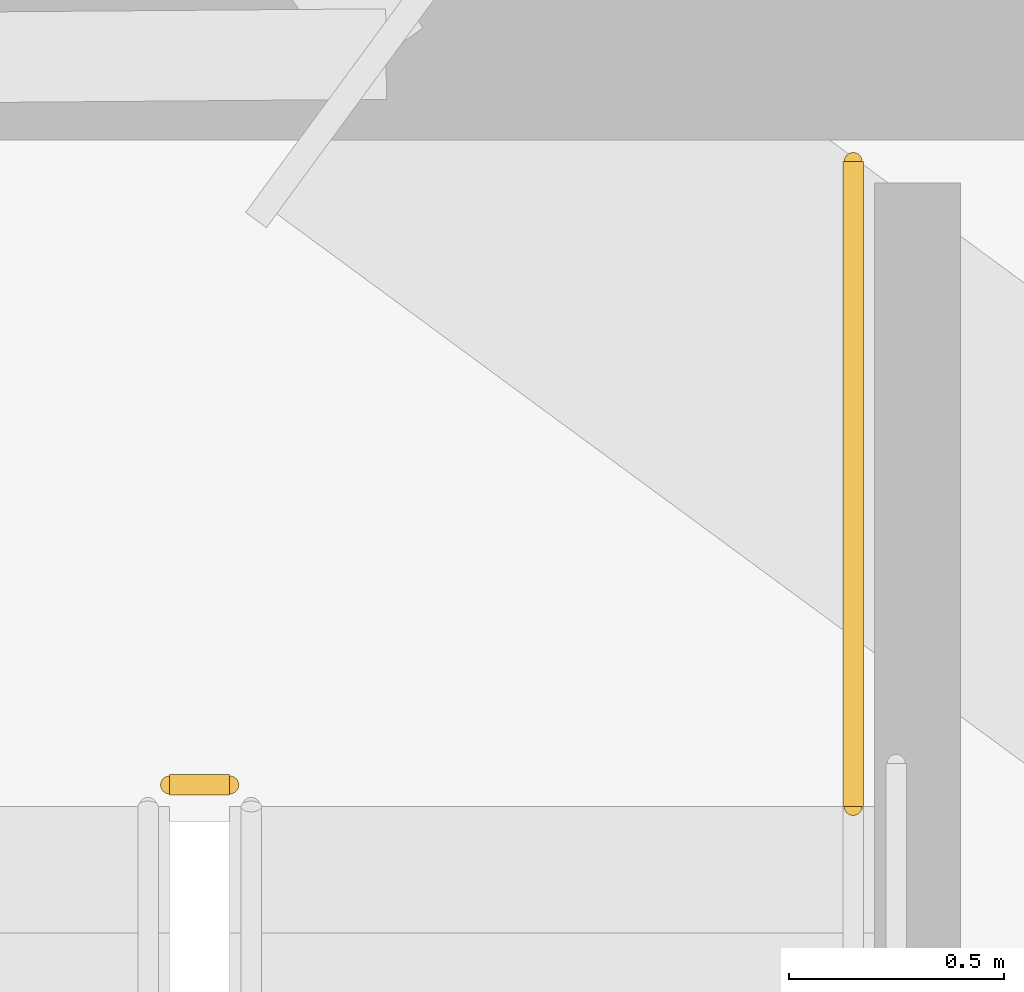
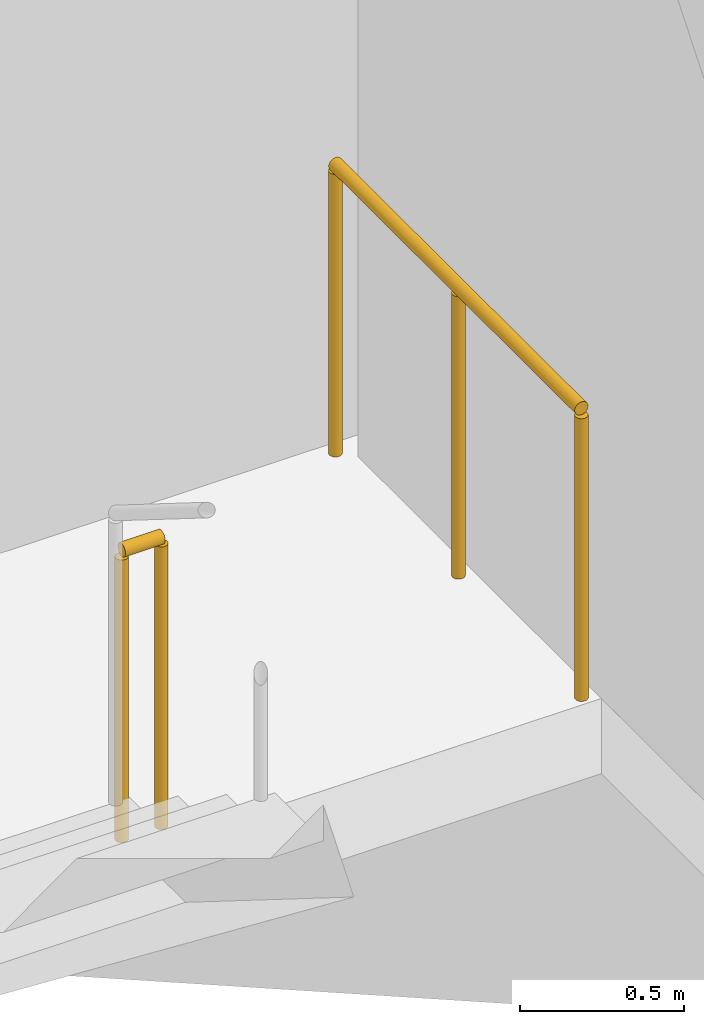
# One storey, part 29 of 29: 2 railings.
"""IFC4 building model written with IfcOpenShell, lengths in metres."""

from ifc_helpers import new_model, si_unit, direction, frame, origin, origin_2d, place, context, subcontext, project, spatial, circle, extrude, material, layer, layer_set, type_object, element, save


model = new_model("IFC4")

# Units and contexts
model_context = context("Model", 3, precision=1e-05, world=origin(), true_north=direction((0.0, 1.0)))
body_context = subcontext(model_context, "Body", "Model", "MODEL_VIEW")
ifc_project = project(units=[si_unit("LENGTHUNIT", "METRE"), si_unit("AREAUNIT", "SQUARE_METRE"), si_unit("VOLUMEUNIT", "CUBIC_METRE"), si_unit("PLANEANGLEUNIT", "RADIAN"), si_unit("MASSUNIT", "GRAM", prefix="KILO")], contexts=[model_context])

# Site, building, storey
site_placement = place(None, origin())
site = spatial("IfcSite", under=ifc_project, at=site_placement, CompositionType="ELEMENT")
building_placement = place(site_placement, origin())
building = spatial("IfcBuilding", under=site, at=building_placement, Name="Ndaravel Arena Tower", CompositionType="ELEMENT")
storey_placement = place(building_placement, frame((0.0, 0.0, 208.39990234375)))
storey = spatial("IfcBuildingStorey", under=building, at=storey_placement, Name="L50", CompositionType="ELEMENT", Elevation=208.39990234375)

# Railings
ifc_material = material(Name="Steel S355", Category="steel")
ifc_layer = layer(ifc_material, 0.06005859375)
ifc_layer_set = layer_set([ifc_layer], Name="Steel S355")
railing_type = type_object("IfcRailingType", Name="RAIL-STAIR-GD1100", PredefinedType="GUARDRAIL", material=ifc_layer_set)
railing_1_placement = place(storey_placement, frame((55.10009765625, 13.300048828125, 0.0)))
element("IfcRailing", 1, at=railing_1_placement, inside=storey, type_object=railing_type, Name="L50 ST-3 stair guard 4", PredefinedType="GUARDRAIL", context=body_context, shape_type="SweptSolid", body=[
    extrude(circle(Radius=0.02392578125, at=origin_2d()), frame((0.0, 0.0, 1.076171875), z_axis=(1.0, 0.0, 0.0), x_axis=(0.0, 1.0, 0.0)), (0.0, 0.0, 1.0), 0.139892578125),
    extrude(circle(Radius=0.02099609375, at=origin_2d()), origin(), (0.0, 0.0, 1.0), 1.052001953125),
    extrude(circle(Radius=0.02099609375, at=origin_2d()), frame((0.139892578125, 0.0, 0.0)), (0.0, 0.0, 1.0), 1.052001953125),
])
railing_2_placement = place(storey_placement, frame((56.68994140625, 14.75, 0.0)))
element("IfcRailing", 2, at=railing_2_placement, inside=storey, type_object=railing_type, Name="L50 ST-3 stair guard 5", PredefinedType="GUARDRAIL", context=body_context, shape_type="SweptSolid", body=[
    extrude(circle(Radius=0.02392578125, at=origin_2d()), frame((0.0, 0.0, 1.076171875), z_axis=(0.0, -1.0, 0.0), x_axis=(1.0, 0.0, 0.0)), (0.0, 0.0, 1.0), 1.5),
    extrude(circle(Radius=0.02099609375, at=origin_2d()), origin(), (0.0, 0.0, 1.0), 1.052001953125),
    extrude(circle(Radius=0.02099609375, at=origin_2d()), frame((0.0, -0.75, 0.0)), (0.0, 0.0, 1.0), 1.052001953125),
    extrude(circle(Radius=0.02099609375, at=origin_2d()), frame((0.0, -1.5, 0.0)), (0.0, 0.0, 1.0), 1.052001953125),
])

save(model, "model.ifc")
